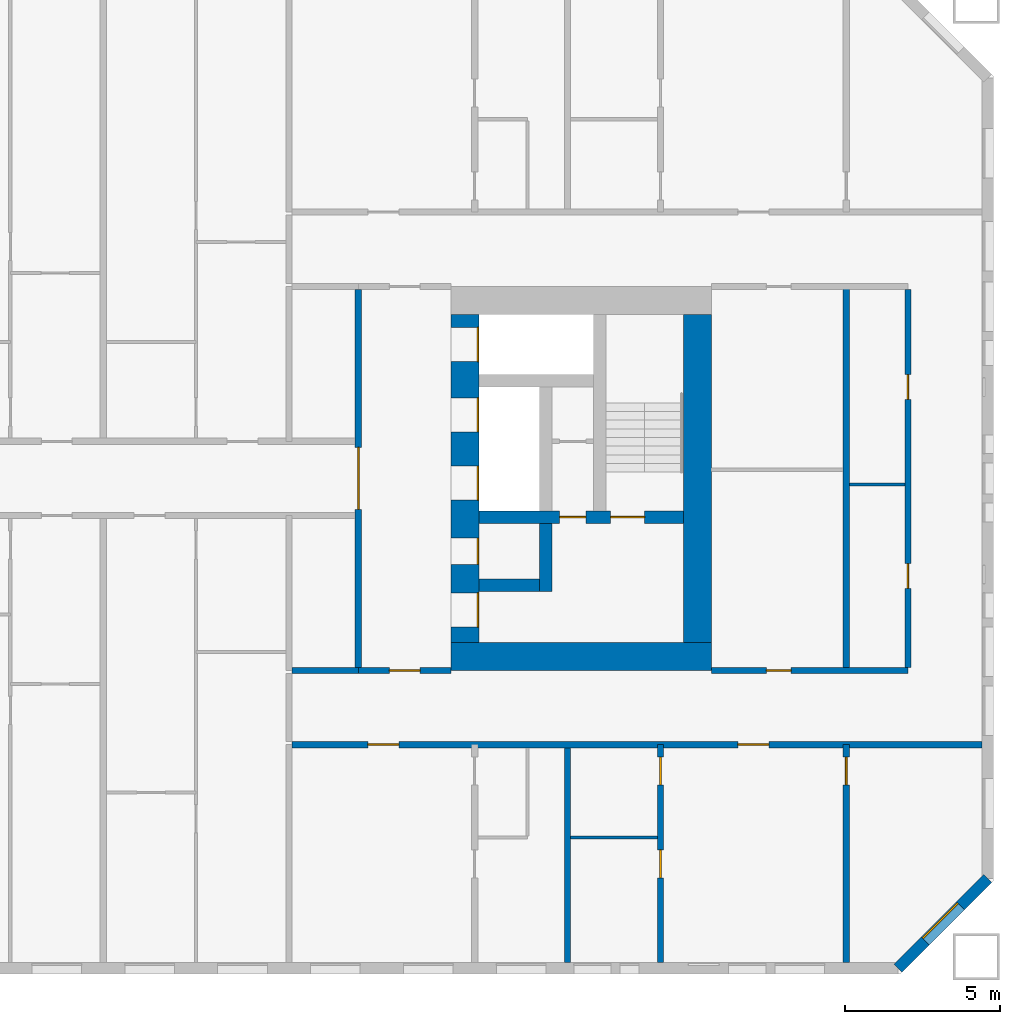
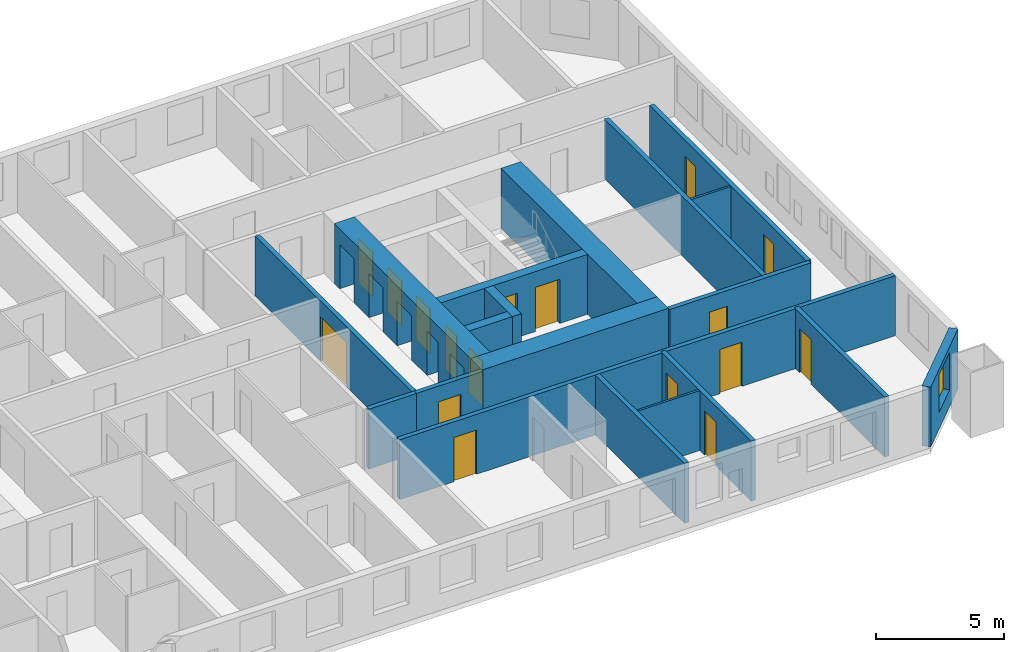
# One storey, part 12 of 17: 19 walls, 17 doors, 1 window, 18 openings.
"""IFC4 building model written with IfcOpenShell, lengths in metres."""

from ifc_helpers import new_model, si_unit, direction, frame, frame_2d, origin, place, context, subcontext, project, spatial, rectangle, extrude, material, layer, layer_set, type_object, element, fill, save


model = new_model("IFC4")

# Units and contexts
model_context = context("Model", 3, precision=1e-05, world=origin(), true_north=direction((0.0, 1.0)))
body_context = subcontext(model_context, "Body", "Model", "MODEL_VIEW")
ifc_project = project(units=[si_unit("LENGTHUNIT", "METRE"), si_unit("AREAUNIT", "SQUARE_METRE"), si_unit("VOLUMEUNIT", "CUBIC_METRE"), si_unit("PLANEANGLEUNIT", "RADIAN"), si_unit("MASSUNIT", "GRAM", prefix="KILO")], contexts=[model_context])

# Site, building, storey
site_placement = place(None, origin())
site = spatial("IfcSite", under=ifc_project, at=site_placement, CompositionType="ELEMENT")
building_placement = place(site_placement, origin())
building = spatial("IfcBuilding", under=site, at=building_placement, Name="Tuart Gate Housing", CompositionType="ELEMENT")
storey_placement = place(building_placement, frame((0.0, 0.0, 25.699951171875)))
storey = spatial("IfcBuildingStorey", under=building, at=storey_placement, Name="L06", CompositionType="ELEMENT", Elevation=25.699951171875)

# Wall, opening, window
ifc_material_1 = material(Name="Brick", Category="masonry")
ifc_layer_1 = layer(ifc_material_1, 0.360107421875)
ifc_layer_set_1 = layer_set([ifc_layer_1], Name="Brick pier and spandrel wall 360")
wall_type_1 = type_object("IfcWallType", Name="Brick pier and spandrel wall 360", PredefinedType="STANDARD", material=ifc_layer_set_1)
wall_1_placement = place(storey_placement, frame((174.67529296875, 54.179931640625, 0.0), z_axis=(0.0, 0.0, 1.0), x_axis=(0.707106781187, 0.707106781187, 0.0)))
wall_1 = element("IfcWall", 1, at=wall_1_placement, inside=storey, type_object=wall_type_1, Name="External wall B-SE L06", PredefinedType="STANDARD", context=body_context, shape_type="SweptSolid", body=[
    extrude(rectangle(XDim=4.09375, YDim=0.360107421875, at=frame_2d((2.046875, 0.0))), origin(), (0.0, 0.0, 1.0), 2.85009765625),
])
opening_1_placement = place(wall_1_placement, frame((1.2470703125, 0.0, 0.800048828125)))
opening_1 = element("IfcOpeningElement", 2, at=opening_1_placement, cuts=wall_1, Name="Opening W1", PredefinedType="OPENING", context=body_context, shape_type="SweptSolid", body=[
    extrude(rectangle(XDim=1.60009765625, YDim=1.800048828125, at=frame_2d((0.800048828125, 0.89990234375))), frame((0.0, 0.18994140625, 0.0), z_axis=(0.0, -1.0, 0.0), x_axis=(1.0, 0.0, 0.0)), (0.0, 0.0, 1.0), 0.380126953125),
])
ifc_material_2 = material(Name="Aluminium frame with clear glass", Category="aluminium")
window_type = type_object("IfcWindowType", Name="Punched window 1600 x 1800", PartitioningType="SINGLE_PANEL", PredefinedType="WINDOW", material=ifc_material_2)
window_placement = place(opening_1_placement, origin())
window = element("IfcWindow", 3, at=window_placement, inside=storey, type_object=window_type, Name="Window W1", OverallHeight=1.800048828125, OverallWidth=1.60009765625, PartitioningType="SINGLE_PANEL", PredefinedType="WINDOW", context=body_context, shape_type="SweptSolid", body=[
    extrude(rectangle(XDim=1.60009765625, YDim=1.800048828125, at=frame_2d((0.800048828125, 0.89990234375))), frame((0.0, 0.150146484375, 0.0), z_axis=(0.0, -1.0, 0.0), x_axis=(1.0, 0.0, 0.0)), (0.0, 0.0, 1.0), 0.06005859375),
])
fill(opening_1, window)

# Wall, openings, doors
ifc_material_3 = material(Name="Concrete C60", Category="concrete")
ifc_layer_2 = layer(ifc_material_3, 0.39990234375)
ifc_layer_set_2 = layer_set([ifc_layer_2], Name="Core wall 400 C60")
wall_type_2 = type_object("IfcWallType", Name="Core wall 400 C60", PredefinedType="SHEAR", material=ifc_layer_set_2)
wall_2_placement = place(storey_placement, frame((161.139892578125, 68.75, 0.0), z_axis=(0.0, 0.0, 1.0), x_axis=(1.0, 0.0, 0.0)))
wall_2 = element("IfcWall", 4, at=wall_2_placement, inside=storey, type_object=wall_type_2, Name="Core wall BK.3", PredefinedType="SHEAR", context=body_context, shape_type="SweptSolid", body=[
    extrude(rectangle(XDim=6.60009765625, YDim=0.39990234375, at=frame_2d((3.300048828125, 0.0))), origin(), (0.0, 0.0, 1.0), 2.85009765625),
])
opening_2_placement = place(wall_2_placement, frame((4.25, 0.0, 0.0)))
opening_2 = element("IfcOpeningElement", 5, at=opening_2_placement, cuts=wall_2, Name="Opening D446", PredefinedType="OPENING", context=body_context, shape_type="SweptSolid", body=[
    extrude(rectangle(XDim=1.10009765625, YDim=2.10009765625, at=frame_2d((0.550048828125, 1.050048828125))), frame((0.0, 0.2099609375, 0.0), z_axis=(0.0, -1.0, 0.0), x_axis=(1.0, 0.0, 0.0)), (0.0, 0.0, 1.0), 0.419921875),
])
opening_3_placement = place(wall_2_placement, frame((2.60009765625, 0.0, 0.0)))
opening_3 = element("IfcOpeningElement", 6, at=opening_3_placement, cuts=wall_2, Name="Opening D445", PredefinedType="OPENING", context=body_context, shape_type="SweptSolid", body=[
    extrude(rectangle(XDim=0.85009765625, YDim=2.10009765625, at=frame_2d((0.425048828125, 1.050048828125))), frame((0.0, 0.2099609375, 0.0), z_axis=(0.0, -1.0, 0.0), x_axis=(1.0, 0.0, 0.0)), (0.0, 0.0, 1.0), 0.419921875),
])
ifc_material_4 = material(Name="Steel fire door", Category="steel")
door_type_1 = type_object("IfcDoorType", Name="Riser door 850 x 2100", OperationType="SINGLE_SWING_LEFT", PredefinedType="DOOR", material=ifc_material_4)
door_1_placement = place(opening_3_placement, origin())
door_1 = element("IfcDoor", 7, at=door_1_placement, inside=storey, type_object=door_type_1, Name="Service room door BK.W1", OperationType="SINGLE_SWING_LEFT", OverallHeight=2.10009765625, OverallWidth=0.85009765625, PredefinedType="DOOR", context=body_context, shape_type="SweptSolid", body=[
    extrude(rectangle(XDim=0.85009765625, YDim=2.10009765625, at=frame_2d((0.425048828125, 1.050048828125))), frame((0.0, 0.02490234375, 0.0), z_axis=(0.0, -1.0, 0.0), x_axis=(1.0, 0.0, 0.0)), (0.0, 0.0, 1.0), 0.050048828125),
])
fill(opening_3, door_1)
ifc_material_5 = material(Name="Steel fire door", Category="steel")
door_type_2 = type_object("IfcDoorType", Name="Stair door 1100 x 2100", OperationType="SINGLE_SWING_LEFT", PredefinedType="DOOR", material=ifc_material_5)
door_2_placement = place(opening_2_placement, origin())
door_2 = element("IfcDoor", 8, at=door_2_placement, inside=storey, type_object=door_type_2, Name="Stair door BK.SD", OperationType="SINGLE_SWING_LEFT", OverallHeight=2.10009765625, OverallWidth=1.10009765625, PredefinedType="DOOR", context=body_context, shape_type="SweptSolid", body=[
    extrude(rectangle(XDim=1.10009765625, YDim=2.10009765625, at=frame_2d((0.550048828125, 1.050048828125))), frame((0.0, 0.02490234375, 0.0), z_axis=(0.0, -1.0, 0.0), x_axis=(1.0, 0.0, 0.0)), (0.0, 0.0, 1.0), 0.050048828125),
])
fill(opening_2, door_2)

# Walls
wall_3_placement = place(storey_placement, frame((161.139892578125, 66.550048828125, 0.0), z_axis=(0.0, 0.0, 1.0), x_axis=(1.0, 0.0, 0.0)))
element("IfcWall", 9, at=wall_3_placement, inside=storey, type_object=wall_type_2, Name="Core wall BK.4", PredefinedType="SHEAR", context=body_context, shape_type="SweptSolid", body=[
    extrude(rectangle(XDim=1.9501953125, YDim=0.39990234375, at=frame_2d((0.97509765625, 0.0))), origin(), (0.0, 0.0, 1.0), 2.85009765625),
])
wall_4_placement = place(storey_placement, frame((163.2900390625, 68.550048828125, 0.0), z_axis=(0.0, 0.0, 1.0), x_axis=(0.0, -1.0, 0.0)))
element("IfcWall", 10, at=wall_4_placement, inside=storey, type_object=wall_type_2, Name="Core wall BK.6", PredefinedType="SHEAR", context=body_context, shape_type="SweptSolid", body=[
    extrude(rectangle(XDim=2.199951171875, YDim=0.39990234375, at=frame_2d((1.10009765625, 0.0))), origin(), (0.0, 0.0, 1.0), 2.85009765625),
])

# Wall, openings, doors
ifc_material_6 = material(Name="Concrete C60", Category="concrete")
ifc_layer_3 = layer(ifc_material_6, 0.89990234375)
ifc_layer_set_3 = layer_set([ifc_layer_3], Name="Core wall 900 C60")
wall_type_3 = type_object("IfcWallType", Name="Core wall 900 C60", PredefinedType="SHEAR", material=ifc_layer_set_3)
wall_5_placement = place(storey_placement, frame((160.68994140625, 75.300048828125, 0.0), z_axis=(0.0, 0.0, 1.0), x_axis=(0.0, -1.0, 0.0)))
wall_5 = element("IfcWall", 11, at=wall_5_placement, inside=storey, type_object=wall_type_3, Name="Core wall BK front", PredefinedType="SHEAR", context=body_context, shape_type="SweptSolid", body=[
    extrude(rectangle(XDim=10.60009765625, YDim=0.89990234375, at=frame_2d((5.300048828125, 0.0))), origin(), (0.0, 0.0, 1.0), 2.85009765625),
])
opening_4_placement = place(wall_5_placement, frame((0.425048828125, 0.0, 0.0)))
opening_4 = element("IfcOpeningElement", 12, at=opening_4_placement, cuts=wall_5, Name="Opening LD-FB2", PredefinedType="OPENING", context=body_context, shape_type="SweptSolid", body=[
    extrude(rectangle(XDim=1.10009765625, YDim=2.10009765625, at=frame_2d((0.550048828125, 1.050048828125))), frame((0.0, 0.4599609375, 0.0), z_axis=(0.0, -1.0, 0.0), x_axis=(1.0, 0.0, 0.0)), (0.0, 0.0, 1.0), 0.919921875),
])
opening_5_placement = place(wall_5_placement, frame((2.699951171875, 0.0, 0.0)))
opening_5 = element("IfcOpeningElement", 13, at=opening_5_placement, cuts=wall_5, Name="Opening LD-LB3", PredefinedType="OPENING", context=body_context, shape_type="SweptSolid", body=[
    extrude(rectangle(XDim=1.10009765625, YDim=2.10009765625, at=frame_2d((0.550048828125, 1.050048828125))), frame((0.0, 0.4599609375, 0.0), z_axis=(0.0, -1.0, 0.0), x_axis=(1.0, 0.0, 0.0)), (0.0, 0.0, 1.0), 0.919921875),
])
opening_6_placement = place(wall_5_placement, frame((4.89990234375, 0.0, 0.0)))
opening_6 = element("IfcOpeningElement", 14, at=opening_6_placement, cuts=wall_5, Name="Opening LD-LB4", PredefinedType="OPENING", context=body_context, shape_type="SweptSolid", body=[
    extrude(rectangle(XDim=1.10009765625, YDim=2.10009765625, at=frame_2d((0.550048828125, 1.050048828125))), frame((0.0, 0.4599609375, 0.0), z_axis=(0.0, -1.0, 0.0), x_axis=(1.0, 0.0, 0.0)), (0.0, 0.0, 1.0), 0.919921875),
])
opening_7_placement = place(wall_5_placement, frame((9.0, 0.0, 0.0)))
opening_7 = element("IfcOpeningElement", 15, at=opening_7_placement, cuts=wall_5, Name="Opening D439", PredefinedType="OPENING", context=body_context, shape_type="SweptSolid", body=[
    extrude(rectangle(XDim=1.10009765625, YDim=2.10009765625, at=frame_2d((0.550048828125, 1.050048828125))), frame((0.0, 0.4599609375, 0.0), z_axis=(0.0, -1.0, 0.0), x_axis=(1.0, 0.0, 0.0)), (0.0, 0.0, 1.0), 0.919921875),
])
opening_8_placement = place(wall_5_placement, frame((7.22509765625, 0.0, 0.0)))
opening_8 = element("IfcOpeningElement", 16, at=opening_8_placement, cuts=wall_5, Name="Opening D440", PredefinedType="OPENING", context=body_context, shape_type="SweptSolid", body=[
    extrude(rectangle(XDim=0.85009765625, YDim=2.10009765625, at=frame_2d((0.425048828125, 1.050048828125))), frame((0.0, 0.4599609375, 0.0), z_axis=(0.0, -1.0, 0.0), x_axis=(1.0, 0.0, 0.0)), (0.0, 0.0, 1.0), 0.919921875),
])
ifc_material_7 = material(Name="Stainless steel", Category="steel")
door_type_3 = type_object("IfcDoorType", Name="Landing door 1100 x 2100", OperationType="DOUBLE_DOOR_SLIDING", PredefinedType="DOOR", material=ifc_material_7)
door_3_placement = place(opening_4_placement, origin())
door_3 = element("IfcDoor", 17, at=door_3_placement, inside=storey, type_object=door_type_3, Name="Lift landing door FB2", OperationType="DOUBLE_DOOR_SLIDING", OverallHeight=2.10009765625, OverallWidth=1.10009765625, PredefinedType="DOOR", context=body_context, shape_type="SweptSolid", body=[
    extrude(rectangle(XDim=1.10009765625, YDim=2.10009765625, at=frame_2d((0.550048828125, 1.050048828125))), frame((0.0, 0.43505859375, 0.0), z_axis=(0.0, -1.0, 0.0), x_axis=(1.0, 0.0, 0.0)), (0.0, 0.0, 1.0), 0.050048828125),
])
fill(opening_4, door_3)
door_4_placement = place(opening_5_placement, origin())
door_4 = element("IfcDoor", 18, at=door_4_placement, inside=storey, type_object=door_type_3, Name="Lift landing door LB3", OperationType="DOUBLE_DOOR_SLIDING", OverallHeight=2.10009765625, OverallWidth=1.10009765625, PredefinedType="DOOR", context=body_context, shape_type="SweptSolid", body=[
    extrude(rectangle(XDim=1.10009765625, YDim=2.10009765625, at=frame_2d((0.550048828125, 1.050048828125))), frame((0.0, 0.43505859375, 0.0), z_axis=(0.0, -1.0, 0.0), x_axis=(1.0, 0.0, 0.0)), (0.0, 0.0, 1.0), 0.050048828125),
])
fill(opening_5, door_4)
door_5_placement = place(opening_6_placement, origin())
door_5 = element("IfcDoor", 19, at=door_5_placement, inside=storey, type_object=door_type_3, Name="Lift landing door LB4", OperationType="DOUBLE_DOOR_SLIDING", OverallHeight=2.10009765625, OverallWidth=1.10009765625, PredefinedType="DOOR", context=body_context, shape_type="SweptSolid", body=[
    extrude(rectangle(XDim=1.10009765625, YDim=2.10009765625, at=frame_2d((0.550048828125, 1.050048828125))), frame((0.0, 0.43505859375, 0.0), z_axis=(0.0, -1.0, 0.0), x_axis=(1.0, 0.0, 0.0)), (0.0, 0.0, 1.0), 0.050048828125),
])
fill(opening_6, door_5)
ifc_material_8 = material(Name="Steel fire door", Category="steel")
door_type_4 = type_object("IfcDoorType", Name="Lobby door 1100 x 2100", OperationType="SINGLE_SWING_LEFT", PredefinedType="DOOR", material=ifc_material_8)
door_6_placement = place(opening_7_placement, origin())
door_6 = element("IfcDoor", 20, at=door_6_placement, inside=storey, type_object=door_type_4, Name="Lobby entry door BK.EN", OperationType="SINGLE_SWING_LEFT", OverallHeight=2.10009765625, OverallWidth=1.10009765625, PredefinedType="DOOR", context=body_context, shape_type="SweptSolid", body=[
    extrude(rectangle(XDim=1.10009765625, YDim=2.10009765625, at=frame_2d((0.550048828125, 1.050048828125))), frame((0.0, 0.43505859375, 0.0), z_axis=(0.0, -1.0, 0.0), x_axis=(1.0, 0.0, 0.0)), (0.0, 0.0, 1.0), 0.050048828125),
])
fill(opening_7, door_6)
ifc_material_9 = material(Name="Steel fire door", Category="steel")
door_type_5 = type_object("IfcDoorType", Name="Service door 850 x 2100", OperationType="SINGLE_SWING_LEFT", PredefinedType="DOOR", material=ifc_material_9)
door_7_placement = place(opening_8_placement, origin())
door_7 = element("IfcDoor", 21, at=door_7_placement, inside=storey, type_object=door_type_5, Name="Service room door BK.T1", OperationType="SINGLE_SWING_LEFT", OverallHeight=2.10009765625, OverallWidth=0.85009765625, PredefinedType="DOOR", context=body_context, shape_type="SweptSolid", body=[
    extrude(rectangle(XDim=0.85009765625, YDim=2.10009765625, at=frame_2d((0.425048828125, 1.050048828125))), frame((0.0, 0.43505859375, 0.0), z_axis=(0.0, -1.0, 0.0), x_axis=(1.0, 0.0, 0.0)), (0.0, 0.0, 1.0), 0.050048828125),
])
fill(opening_8, door_7)

# Walls
wall_6_placement = place(storey_placement, frame((168.18994140625, 75.300048828125, 0.0), z_axis=(0.0, 0.0, 1.0), x_axis=(0.0, -1.0, 0.0)))
element("IfcWall", 22, at=wall_6_placement, inside=storey, type_object=wall_type_3, Name="Core wall BK back", PredefinedType="SHEAR", context=body_context, shape_type="SweptSolid", body=[
    extrude(rectangle(XDim=10.60009765625, YDim=0.89990234375, at=frame_2d((5.300048828125, 0.0))), origin(), (0.0, 0.0, 1.0), 2.85009765625),
])
wall_7_placement = place(storey_placement, frame((160.239990234375, 64.25, 0.0), z_axis=(0.0, 0.0, 1.0), x_axis=(1.0, 0.0, 0.0)))
element("IfcWall", 23, at=wall_7_placement, inside=storey, type_object=wall_type_3, Name="Core wall BK north", PredefinedType="SHEAR", context=body_context, shape_type="SweptSolid", body=[
    extrude(rectangle(XDim=8.39990234375, YDim=0.89990234375, at=frame_2d((4.199951171875, 0.0))), origin(), (0.0, 0.0, 1.0), 2.85009765625),
])

# Wall, openings, doors
ifc_material_10 = material(Name="Concrete masonry 15 MPa", Category="masonry")
ifc_layer_4 = layer(ifc_material_10, 0.199951171875)
ifc_layer_set_4 = layer_set([ifc_layer_4], Name="Corridor wall masonry 200")
wall_type_4 = type_object("IfcWallType", Name="Corridor wall masonry 200", PredefinedType="PARTITIONING", material=ifc_layer_set_4)
wall_8_placement = place(storey_placement, frame((155.10009765625, 61.39990234375, 0.0), z_axis=(0.0, 0.0, 1.0), x_axis=(1.0, 0.0, 0.0)))
wall_8 = element("IfcWall", 24, at=wall_8_placement, inside=storey, type_object=wall_type_4, Name="Corridor wall masonry 200", PredefinedType="PARTITIONING", context=body_context, shape_type="SweptSolid", body=[
    extrude(rectangle(XDim=22.289794921875, YDim=0.199951171875, at=frame_2d((11.14501953125, 0.0))), origin(), (0.0, 0.0, 1.0), 2.85009765625),
])
opening_9_placement = place(wall_8_placement, frame((2.449951171875, 0.0, 0.0)))
opening_9 = element("IfcOpeningElement", 25, at=opening_9_placement, cuts=wall_8, Name="Opening D455", PredefinedType="OPENING", context=body_context, shape_type="SweptSolid", body=[
    extrude(rectangle(XDim=1.0, YDim=2.10009765625, at=frame_2d((0.5, 1.050048828125))), frame((0.0, 0.10986328125, 0.0), z_axis=(0.0, -1.0, 0.0), x_axis=(1.0, 0.0, 0.0)), (0.0, 0.0, 1.0), 0.219970703125),
])
opening_10_placement = place(wall_8_placement, frame((14.39990234375, 0.0, 0.0)))
opening_10 = element("IfcOpeningElement", 26, at=opening_10_placement, cuts=wall_8, Name="Opening D456", PredefinedType="OPENING", context=body_context, shape_type="SweptSolid", body=[
    extrude(rectangle(XDim=1.0, YDim=2.10009765625, at=frame_2d((0.5, 1.050048828125))), frame((0.0, 0.10986328125, 0.0), z_axis=(0.0, -1.0, 0.0), x_axis=(1.0, 0.0, 0.0)), (0.0, 0.0, 1.0), 0.219970703125),
])
ifc_material_11 = material(Name="Timber door leaf in steel frame", Category="steel")
door_type_6 = type_object("IfcDoorType", Name="Flat entrance door 1000", OperationType="SINGLE_SWING_LEFT", PredefinedType="DOOR", material=ifc_material_11)
door_8_placement = place(opening_9_placement, frame((1.0, 0.0, 0.0), z_axis=(0.0, 0.0, 1.0), x_axis=(-1.0, 0.0, 0.0)))
door_8 = element("IfcDoor", 27, at=door_8_placement, inside=storey, type_object=door_type_6, Name="Flat entrance door", OperationType="SINGLE_SWING_LEFT", OverallHeight=2.10009765625, OverallWidth=1.0, PredefinedType="DOOR", context=body_context, shape_type="SweptSolid", body=[
    extrude(rectangle(XDim=1.0, YDim=2.10009765625, at=frame_2d((0.5, 1.050048828125))), frame((0.0, 0.025146484375, 0.0), z_axis=(0.0, -1.0, 0.0), x_axis=(1.0, 0.0, 0.0)), (0.0, 0.0, 1.0), 0.050048828125),
])
fill(opening_9, door_8)
ifc_material_12 = material(Name="Timber door leaf in steel frame", Category="steel")
door_type_7 = type_object("IfcDoorType", Name="Flat entrance door 1000 RH", OperationType="SINGLE_SWING_RIGHT", PredefinedType="DOOR", material=ifc_material_12)
door_9_placement = place(opening_10_placement, frame((1.0, 0.0, 0.0), z_axis=(0.0, 0.0, 1.0), x_axis=(-1.0, 0.0, 0.0)))
door_9 = element("IfcDoor", 28, at=door_9_placement, inside=storey, type_object=door_type_7, Name="Flat entrance door", OperationType="SINGLE_SWING_RIGHT", OverallHeight=2.10009765625, OverallWidth=1.0, PredefinedType="DOOR", context=body_context, shape_type="SweptSolid", body=[
    extrude(rectangle(XDim=1.0, YDim=2.10009765625, at=frame_2d((0.5, 1.050048828125))), frame((0.0, 0.025146484375, 0.0), z_axis=(0.0, -1.0, 0.0), x_axis=(1.0, 0.0, 0.0)), (0.0, 0.0, 1.0), 0.050048828125),
])
fill(opening_10, door_9)

# Wall
wall_9_placement = place(storey_placement, frame((155.10009765625, 63.800048828125, 0.0), z_axis=(0.0, 0.0, 1.0), x_axis=(1.0, 0.0, 0.0)))
element("IfcWall", 29, at=wall_9_placement, inside=storey, type_object=wall_type_4, Name="Corridor wall masonry 200", PredefinedType="PARTITIONING", context=body_context, shape_type="SweptSolid", body=[
    extrude(rectangle(XDim=2.139892578125, YDim=0.199951171875, at=frame_2d((1.06982421875, 0.0))), origin(), (0.0, 0.0, 1.0), 2.85009765625),
])

# Wall, opening, door
wall_10_placement = place(storey_placement, frame((168.639892578125, 63.800048828125, 0.0), z_axis=(0.0, 0.0, 1.0), x_axis=(1.0, 0.0, 0.0)))
wall_10 = element("IfcWall", 30, at=wall_10_placement, inside=storey, type_object=wall_type_4, Name="Corridor wall masonry 200", PredefinedType="PARTITIONING", context=body_context, shape_type="SweptSolid", body=[
    extrude(rectangle(XDim=6.35009765625, YDim=0.199951171875, at=frame_2d((3.175048828125, 0.0))), origin(), (0.0, 0.0, 1.0), 2.85009765625),
])
opening_11_placement = place(wall_10_placement, frame((1.780029296875, 0.0, 0.0)))
opening_11 = element("IfcOpeningElement", 31, at=opening_11_placement, cuts=wall_10, Name="Opening D449", PredefinedType="OPENING", context=body_context, shape_type="SweptSolid", body=[
    extrude(rectangle(XDim=0.800048828125, YDim=2.10009765625, at=frame_2d((0.39990234375, 1.050048828125))), frame((0.0, 0.10986328125, 0.0), z_axis=(0.0, -1.0, 0.0), x_axis=(1.0, 0.0, 0.0)), (0.0, 0.0, 1.0), 0.219970703125),
])
ifc_material_13 = material(Name="Timber door leaf in steel frame", Category="steel")
door_type_8 = type_object("IfcDoorType", Name="Store door 800", OperationType="SINGLE_SWING_LEFT", PredefinedType="DOOR", material=ifc_material_13)
door_10_placement = place(opening_11_placement, origin())
door_10 = element("IfcDoor", 32, at=door_10_placement, inside=storey, type_object=door_type_8, Name="Store door", OperationType="SINGLE_SWING_LEFT", OverallHeight=2.10009765625, OverallWidth=0.800048828125, PredefinedType="DOOR", context=body_context, shape_type="SweptSolid", body=[
    extrude(rectangle(XDim=0.800048828125, YDim=2.10009765625, at=frame_2d((0.39990234375, 1.050048828125))), frame((0.0, 0.02490234375, 0.0), z_axis=(0.0, -1.0, 0.0), x_axis=(1.0, 0.0, 0.0)), (0.0, 0.0, 1.0), 0.050048828125),
])
fill(opening_11, door_10)

# Wall, openings, doors
wall_11_placement = place(storey_placement, frame((174.989990234375, 63.89990234375, 0.0), z_axis=(0.0, 0.0, 1.0), x_axis=(0.0, 1.0, 0.0)))
wall_11 = element("IfcWall", 33, at=wall_11_placement, inside=storey, type_object=wall_type_4, Name="Corridor wall masonry 200", PredefinedType="PARTITIONING", context=body_context, shape_type="SweptSolid", body=[
    extrude(rectangle(XDim=12.2001953125, YDim=0.199951171875, at=frame_2d((6.10009765625, 0.0))), origin(), (0.0, 0.0, 1.0), 2.85009765625),
])
opening_12_placement = place(wall_11_placement, frame((2.550048828125, 0.0, 0.0)))
opening_12 = element("IfcOpeningElement", 34, at=opening_12_placement, cuts=wall_11, Name="Opening D441", PredefinedType="OPENING", context=body_context, shape_type="SweptSolid", body=[
    extrude(rectangle(XDim=0.800048828125, YDim=2.10009765625, at=frame_2d((0.39990234375, 1.050048828125))), frame((0.0, 0.10986328125, 0.0), z_axis=(0.0, -1.0, 0.0), x_axis=(1.0, 0.0, 0.0)), (0.0, 0.0, 1.0), 0.219970703125),
])
opening_13_placement = place(wall_11_placement, frame((8.64990234375, 0.0, 0.0)))
opening_13 = element("IfcOpeningElement", 35, at=opening_13_placement, cuts=wall_11, Name="Opening D442", PredefinedType="OPENING", context=body_context, shape_type="SweptSolid", body=[
    extrude(rectangle(XDim=0.800048828125, YDim=2.10009765625, at=frame_2d((0.39990234375, 1.050048828125))), frame((0.0, 0.10986328125, 0.0), z_axis=(0.0, -1.0, 0.0), x_axis=(1.0, 0.0, 0.0)), (0.0, 0.0, 1.0), 0.219970703125),
])
door_11_placement = place(opening_13_placement, origin())
door_11 = element("IfcDoor", 36, at=door_11_placement, inside=storey, type_object=door_type_8, Name="Store door", OperationType="SINGLE_SWING_LEFT", OverallHeight=2.10009765625, OverallWidth=0.800048828125, PredefinedType="DOOR", context=body_context, shape_type="SweptSolid", body=[
    extrude(rectangle(XDim=0.800048828125, YDim=2.10009765625, at=frame_2d((0.39990234375, 1.050048828125))), frame((0.0, 0.02490234375, 0.0), z_axis=(0.0, -1.0, 0.0), x_axis=(1.0, 0.0, 0.0)), (0.0, 0.0, 1.0), 0.050048828125),
])
fill(opening_13, door_11)
ifc_material_14 = material(Name="Timber door leaf in steel frame", Category="steel")
door_type_9 = type_object("IfcDoorType", Name="Store door 800 RH", OperationType="SINGLE_SWING_RIGHT", PredefinedType="DOOR", material=ifc_material_14)
door_12_placement = place(opening_12_placement, origin())
door_12 = element("IfcDoor", 37, at=door_12_placement, inside=storey, type_object=door_type_9, Name="Store door", OperationType="SINGLE_SWING_RIGHT", OverallHeight=2.10009765625, OverallWidth=0.800048828125, PredefinedType="DOOR", context=body_context, shape_type="SweptSolid", body=[
    extrude(rectangle(XDim=0.800048828125, YDim=2.10009765625, at=frame_2d((0.39990234375, 1.050048828125))), frame((0.0, 0.02490234375, 0.0), z_axis=(0.0, -1.0, 0.0), x_axis=(1.0, 0.0, 0.0)), (0.0, 0.0, 1.0), 0.050048828125),
])
fill(opening_12, door_12)

# Wall, opening, door
ifc_material_15 = material(Name="Concrete masonry 15 MPa", Category="masonry")
ifc_layer_5 = layer(ifc_material_15, 0.199951171875)
ifc_layer_set_5 = layer_set([ifc_layer_5], Name="Enclosure wall masonry 200")
wall_type_5 = type_object("IfcWallType", Name="Enclosure wall masonry 200", PredefinedType="PARTITIONING", material=ifc_layer_set_5)
wall_12_placement = place(storey_placement, frame((157.239990234375, 63.800048828125, 0.0), z_axis=(0.0, 0.0, 1.0), x_axis=(1.0, 0.0, 0.0)))
wall_12 = element("IfcWall", 38, at=wall_12_placement, inside=storey, type_object=wall_type_5, Name="Enclosure wall masonry 200", PredefinedType="PARTITIONING", context=body_context, shape_type="SweptSolid", body=[
    extrude(rectangle(XDim=3.0, YDim=0.199951171875, at=frame_2d((1.5, 0.0))), origin(), (0.0, 0.0, 1.0), 2.85009765625),
])
opening_14_placement = place(wall_12_placement, frame((1.0, 0.0, 0.0)))
opening_14 = element("IfcOpeningElement", 39, at=opening_14_placement, cuts=wall_12, Name="Opening D448", PredefinedType="OPENING", context=body_context, shape_type="SweptSolid", body=[
    extrude(rectangle(XDim=1.0, YDim=2.10009765625, at=frame_2d((0.5, 1.050048828125))), frame((0.0, 0.10986328125, 0.0), z_axis=(0.0, -1.0, 0.0), x_axis=(1.0, 0.0, 0.0)), (0.0, 0.0, 1.0), 0.219970703125),
])
ifc_material_16 = material(Name="Timber door leaf in steel frame", Category="steel")
door_type_10 = type_object("IfcDoorType", Name="Fire door 1000 RH", OperationType="SINGLE_SWING_RIGHT", PredefinedType="DOOR", material=ifc_material_16)
door_13_placement = place(opening_14_placement, frame((1.0, 0.0, 0.0), z_axis=(0.0, 0.0, 1.0), x_axis=(-1.0, 0.0, 0.0)))
door_13 = element("IfcDoor", 40, at=door_13_placement, inside=storey, type_object=door_type_10, Name="Fire door", OperationType="SINGLE_SWING_RIGHT", OverallHeight=2.10009765625, OverallWidth=1.0, PredefinedType="DOOR", context=body_context, shape_type="SweptSolid", body=[
    extrude(rectangle(XDim=1.0, YDim=2.10009765625, at=frame_2d((0.5, 1.050048828125))), frame((0.0, 0.025146484375, 0.0), z_axis=(0.0, -1.0, 0.0), x_axis=(1.0, 0.0, 0.0)), (0.0, 0.0, 1.0), 0.050048828125),
])
fill(opening_14, door_13)

ifc_material_17 = material(Name="Plasterboard partition")
ifc_layer_6 = layer(ifc_material_17, 0.199951171875)
ifc_layer_set_6 = layer_set([ifc_layer_6], Name="Lobby wall 200")
wall_type_6 = type_object("IfcWallType", Name="Lobby wall 200", PredefinedType="PARTITIONING", material=ifc_layer_set_6)
wall_13_placement = place(storey_placement, frame((157.239990234375, 63.89990234375, 0.0), z_axis=(0.0, 0.0, 1.0), x_axis=(0.0, 1.0, 0.0)))
wall_13 = element("IfcWall", 41, at=wall_13_placement, inside=storey, type_object=wall_type_6, Name="Lift lobby wall BK", PredefinedType="PARTITIONING", context=body_context, shape_type="SweptSolid", body=[
    extrude(rectangle(XDim=12.2001953125, YDim=0.199951171875, at=frame_2d((6.10009765625, 0.0))), origin(), (0.0, 0.0, 1.0), 2.85009765625),
])
opening_15_placement = place(wall_13_placement, frame((5.10009765625, 0.0, 0.0)))
opening_15 = element("IfcOpeningElement", 42, at=opening_15_placement, cuts=wall_13, Name="Opening D438", PredefinedType="OPENING", context=body_context, shape_type="SweptSolid", body=[
    extrude(rectangle(XDim=2.0, YDim=2.10009765625, at=frame_2d((1.0, 1.050048828125))), frame((0.0, 0.10986328125, 0.0), z_axis=(0.0, -1.0, 0.0), x_axis=(1.0, 0.0, 0.0)), (0.0, 0.0, 1.0), 0.219970703125),
])
ifc_material_18 = material(Name="Steel fire door", Category="steel")
door_type_11 = type_object("IfcDoorType", Name="Smoke door 2000 x 2100", OperationType="DOUBLE_DOOR_SINGLE_SWING", PredefinedType="DOOR", material=ifc_material_18)
door_14_placement = place(opening_15_placement, frame((2.0, 0.0, 0.0), z_axis=(0.0, 0.0, 1.0), x_axis=(-1.0, 0.0, 0.0)))
door_14 = element("IfcDoor", 43, at=door_14_placement, inside=storey, type_object=door_type_11, Name="Lift lobby smoke door BK", OperationType="DOUBLE_DOOR_SINGLE_SWING", OverallHeight=2.10009765625, OverallWidth=2.0, PredefinedType="DOOR", context=body_context, shape_type="SweptSolid", body=[
    extrude(rectangle(XDim=2.0, YDim=2.10009765625, at=frame_2d((1.0, 1.050048828125))), frame((0.0, 0.025146484375, 0.0), z_axis=(0.0, -1.0, 0.0), x_axis=(1.0, 0.0, 0.0)), (0.0, 0.0, 1.0), 0.050048828125),
])
fill(opening_15, door_14)

# Walls
ifc_material_19 = material(Name="Gypsum board on steel studs", Category="steel")
ifc_layer_7 = layer(ifc_material_19, 0.10009765625)
ifc_layer_set_7 = layer_set([ifc_layer_7], Name="Partition 100")
wall_type_7 = type_object("IfcWallType", Name="Partition 100", PredefinedType="PARTITIONING", material=ifc_layer_set_7)
wall_14_placement = place(storey_placement, frame((164.10009765625, 58.39990234375, 0.0), z_axis=(0.0, 0.0, 1.0), x_axis=(1.0, 0.0, 0.0)))
element("IfcWall", 44, at=wall_14_placement, inside=storey, type_object=wall_type_7, Name="Partition 100", PredefinedType="PARTITIONING", context=body_context, shape_type="SweptSolid", body=[
    extrude(rectangle(XDim=2.7998046875, YDim=0.10009765625, at=frame_2d((1.39990234375, 0.0))), origin(), (0.0, 0.0, 1.0), 2.85009765625),
])
wall_15_placement = place(storey_placement, frame((173.10009765625, 69.800048828125, 0.0), z_axis=(0.0, 0.0, 1.0), x_axis=(1.0, 0.0, 0.0)))
element("IfcWall", 45, at=wall_15_placement, inside=storey, type_object=wall_type_7, Name="Partition 100", PredefinedType="PARTITIONING", context=body_context, shape_type="SweptSolid", body=[
    extrude(rectangle(XDim=1.789794921875, YDim=0.10009765625, at=frame_2d((0.89501953125, 0.0))), origin(), (0.0, 0.0, 1.0), 2.85009765625),
])

# Wall, openings, doors
ifc_material_20 = material(Name="Concrete C40", Category="concrete")
ifc_layer_8 = layer(ifc_material_20, 0.199951171875)
ifc_layer_set_8 = layer_set([ifc_layer_8], Name="Party wall concrete C40 200")
wall_type_8 = type_object("IfcWallType", Name="Party wall concrete C40 200", PredefinedType="SOLIDWALL", material=ifc_layer_set_8)
wall_16_placement = place(storey_placement, frame((167.0, 54.360107421875, 0.0), z_axis=(0.0, 0.0, 1.0), x_axis=(0.0, 1.0, 0.0)))
wall_16 = element("IfcWall", 46, at=wall_16_placement, inside=storey, type_object=wall_type_8, Name="Party wall concrete C40 200", PredefinedType="SOLIDWALL", context=body_context, shape_type="SweptSolid", body=[
    extrude(rectangle(XDim=7.039794921875, YDim=0.199951171875, at=frame_2d((3.52001953125, 0.0))), origin(), (0.0, 0.0, 1.0), 2.85009765625),
])
opening_16_placement = place(wall_16_placement, frame((2.739990234375, 0.0, 0.0)))
opening_16 = element("IfcOpeningElement", 47, at=opening_16_placement, cuts=wall_16, Name="Opening D465", PredefinedType="OPENING", context=body_context, shape_type="SweptSolid", body=[
    extrude(rectangle(XDim=0.89990234375, YDim=2.10009765625, at=frame_2d((0.449951171875, 1.050048828125))), frame((0.0, 0.10986328125, 0.0), z_axis=(0.0, -1.0, 0.0), x_axis=(1.0, 0.0, 0.0)), (0.0, 0.0, 1.0), 0.219970703125),
])
opening_17_placement = place(wall_16_placement, frame((5.739990234375, 0.0, 0.0)))
opening_17 = element("IfcOpeningElement", 48, at=opening_17_placement, cuts=wall_16, Name="Opening D464", PredefinedType="OPENING", context=body_context, shape_type="SweptSolid", body=[
    extrude(rectangle(XDim=0.89990234375, YDim=2.10009765625, at=frame_2d((0.449951171875, 1.050048828125))), frame((0.0, 0.10986328125, 0.0), z_axis=(0.0, -1.0, 0.0), x_axis=(1.0, 0.0, 0.0)), (0.0, 0.0, 1.0), 0.219970703125),
])
ifc_material_21 = material(Name="Timber door leaf in steel frame", Category="steel")
door_type_12 = type_object("IfcDoorType", Name="Bathroom door 900 RH", OperationType="SINGLE_SWING_RIGHT", PredefinedType="DOOR", material=ifc_material_21)
door_15_placement = place(opening_17_placement, origin())
door_15 = element("IfcDoor", 49, at=door_15_placement, inside=storey, type_object=door_type_12, Name="Bathroom door", OperationType="SINGLE_SWING_RIGHT", OverallHeight=2.10009765625, OverallWidth=0.89990234375, PredefinedType="DOOR", context=body_context, shape_type="SweptSolid", body=[
    extrude(rectangle(XDim=0.89990234375, YDim=2.10009765625, at=frame_2d((0.449951171875, 1.050048828125))), frame((0.0, 0.02490234375, 0.0), z_axis=(0.0, -1.0, 0.0), x_axis=(1.0, 0.0, 0.0)), (0.0, 0.0, 1.0), 0.050048828125),
])
fill(opening_17, door_15)
ifc_material_22 = material(Name="Timber door leaf in steel frame", Category="steel")
door_type_13 = type_object("IfcDoorType", Name="Internal door 900 RH", OperationType="SINGLE_SWING_RIGHT", PredefinedType="DOOR", material=ifc_material_22)
door_16_placement = place(opening_16_placement, origin())
door_16 = element("IfcDoor", 50, at=door_16_placement, inside=storey, type_object=door_type_13, Name="Internal door", OperationType="SINGLE_SWING_RIGHT", OverallHeight=2.10009765625, OverallWidth=0.89990234375, PredefinedType="DOOR", context=body_context, shape_type="SweptSolid", body=[
    extrude(rectangle(XDim=0.89990234375, YDim=2.10009765625, at=frame_2d((0.449951171875, 1.050048828125))), frame((0.0, 0.02490234375, 0.0), z_axis=(0.0, -1.0, 0.0), x_axis=(1.0, 0.0, 0.0)), (0.0, 0.0, 1.0), 0.050048828125),
])
fill(opening_16, door_16)

# Wall, opening, door
wall_17_placement = place(storey_placement, frame((173.0, 54.360107421875, 0.0), z_axis=(0.0, 0.0, 1.0), x_axis=(0.0, 1.0, 0.0)))
wall_17 = element("IfcWall", 51, at=wall_17_placement, inside=storey, type_object=wall_type_8, Name="Party wall concrete C40 200", PredefinedType="SOLIDWALL", context=body_context, shape_type="SweptSolid", body=[
    extrude(rectangle(XDim=7.039794921875, YDim=0.199951171875, at=frame_2d((3.52001953125, 0.0))), origin(), (0.0, 0.0, 1.0), 2.85009765625),
])
opening_18_placement = place(wall_17_placement, frame((5.739990234375, 0.0, 0.0)))
opening_18 = element("IfcOpeningElement", 52, at=opening_18_placement, cuts=wall_17, Name="Opening D466", PredefinedType="OPENING", context=body_context, shape_type="SweptSolid", body=[
    extrude(rectangle(XDim=0.89990234375, YDim=2.10009765625, at=frame_2d((0.449951171875, 1.050048828125))), frame((0.0, 0.10986328125, 0.0), z_axis=(0.0, -1.0, 0.0), x_axis=(1.0, 0.0, 0.0)), (0.0, 0.0, 1.0), 0.219970703125),
])
ifc_material_23 = material(Name="Timber door leaf in steel frame", Category="steel")
door_type_14 = type_object("IfcDoorType", Name="Internal door 900", OperationType="SINGLE_SWING_LEFT", PredefinedType="DOOR", material=ifc_material_23)
door_17_placement = place(opening_18_placement, frame((0.89990234375, 0.0, 0.0), z_axis=(0.0, 0.0, 1.0), x_axis=(-1.0, 0.0, 0.0)))
door_17 = element("IfcDoor", 53, at=door_17_placement, inside=storey, type_object=door_type_14, Name="Internal door", OperationType="SINGLE_SWING_LEFT", OverallHeight=2.10009765625, OverallWidth=0.89990234375, PredefinedType="DOOR", context=body_context, shape_type="SweptSolid", body=[
    extrude(rectangle(XDim=0.89990234375, YDim=2.10009765625, at=frame_2d((0.449951171875, 1.050048828125))), frame((0.0, 0.025146484375, 0.0), z_axis=(0.0, -1.0, 0.0), x_axis=(1.0, 0.0, 0.0)), (0.0, 0.0, 1.0), 0.050048828125),
])
fill(opening_18, door_17)

# Walls
wall_18_placement = place(storey_placement, frame((173.0, 63.800048828125, 0.0), z_axis=(0.0, 0.0, 1.0), x_axis=(0.0, 1.0, 0.0)))
element("IfcWall", 54, at=wall_18_placement, inside=storey, type_object=wall_type_8, Name="Party wall concrete C40 200", PredefinedType="SOLIDWALL", context=body_context, shape_type="SweptSolid", body=[
    extrude(rectangle(XDim=12.39990234375, YDim=0.199951171875, at=frame_2d((6.199951171875, 0.0))), origin(), (0.0, 0.0, 1.0), 2.85009765625),
])
ifc_material_24 = material(Name="Concrete masonry 15 MPa", Category="masonry")
ifc_layer_9 = layer(ifc_material_24, 0.199951171875)
ifc_layer_set_9 = layer_set([ifc_layer_9], Name="Party wall masonry 200")
wall_type_9 = type_object("IfcWallType", Name="Party wall masonry 200", PredefinedType="PARTITIONING", material=ifc_layer_set_9)
wall_19_placement = place(storey_placement, frame((164.0, 54.360107421875, 0.0), z_axis=(0.0, 0.0, 1.0), x_axis=(0.0, 1.0, 0.0)))
element("IfcWall", 55, at=wall_19_placement, inside=storey, type_object=wall_type_9, Name="Party wall masonry 200", PredefinedType="PARTITIONING", context=body_context, shape_type="SweptSolid", body=[
    extrude(rectangle(XDim=6.93994140625, YDim=0.199951171875, at=frame_2d((3.469970703125, 0.0))), origin(), (0.0, 0.0, 1.0), 2.85009765625),
])

save(model, "model.ifc")
